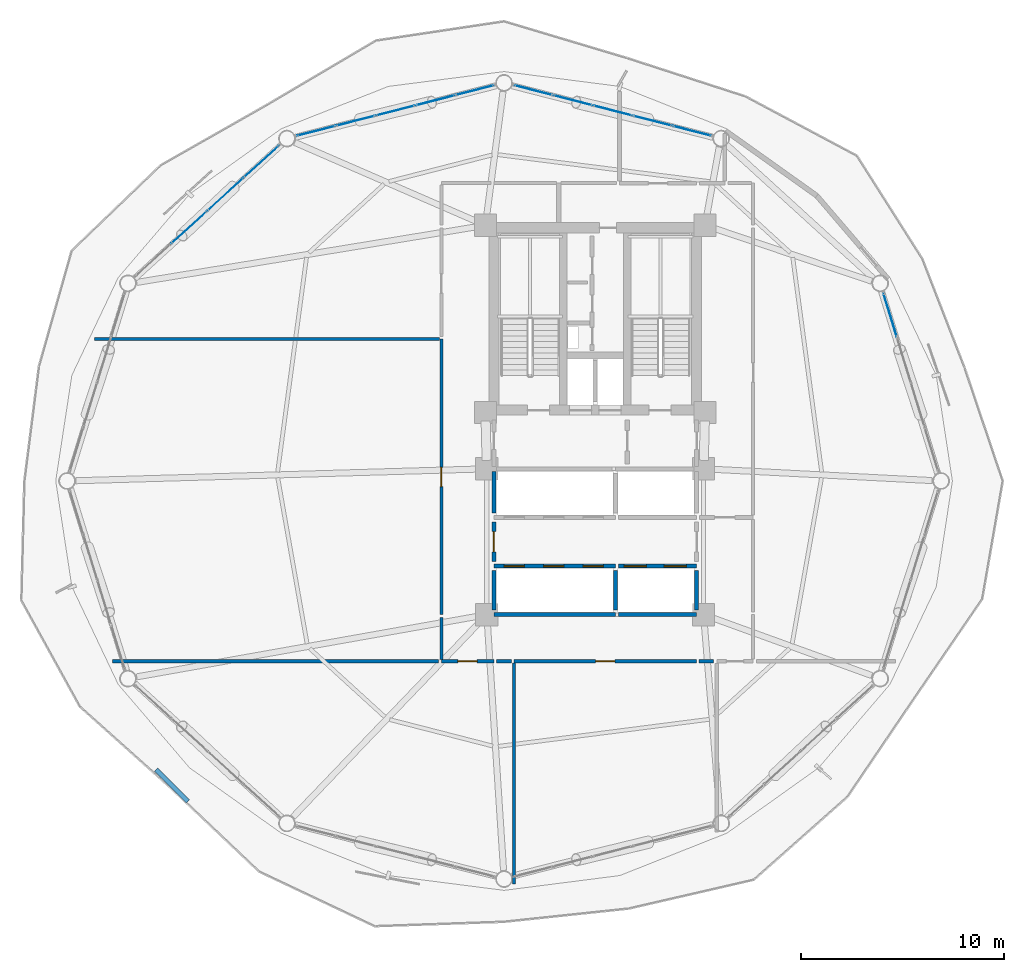
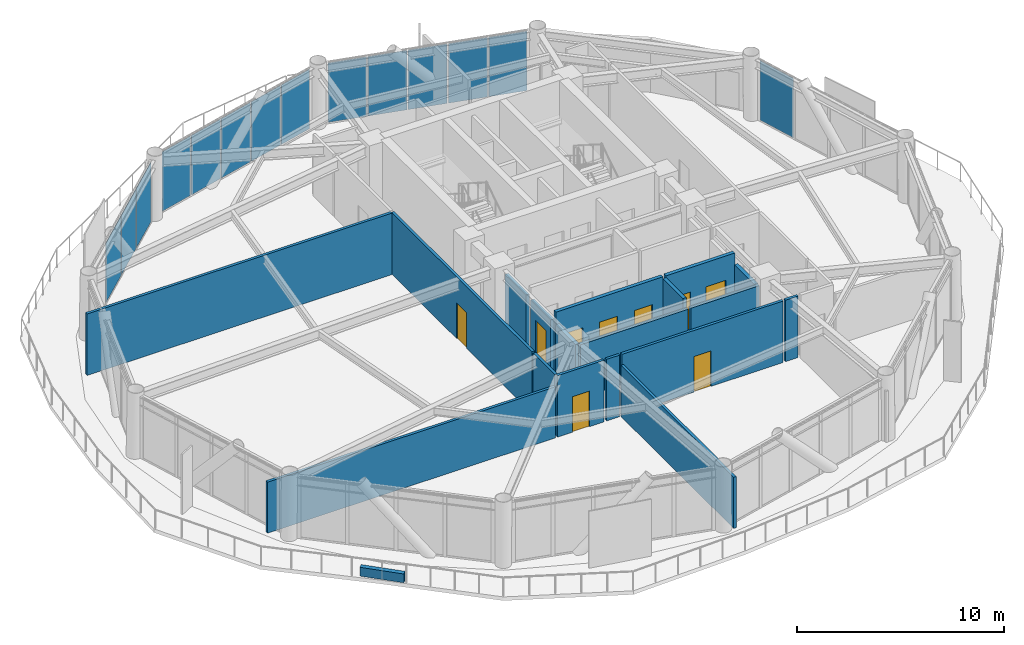
# One storey, part 19 of 24: 19 walls, 14 plates, 9 doors, 9 openings, 4 elements without a shape of their own.
"""IFC4 building model written with IfcOpenShell, lengths in metres."""

from ifc_helpers import new_model, si_unit, direction, frame, frame_2d, origin, origin_2d, place, context, subcontext, project, spatial, rectangle, extrude, source, transform, mapped, material, layer, layer_set, type_object, type_shapes, element, fill, aggregate, save


model = new_model("IFC4")

# Units and contexts
model_context = context("Model", 3, precision=1e-05, world=origin(), true_north=direction((0.0, 1.0)))
body_context = subcontext(model_context, "Body", "Model", "MODEL_VIEW")
ifc_project = project(units=[si_unit("LENGTHUNIT", "METRE"), si_unit("AREAUNIT", "SQUARE_METRE"), si_unit("VOLUMEUNIT", "CUBIC_METRE"), si_unit("PLANEANGLEUNIT", "RADIAN"), si_unit("MASSUNIT", "GRAM", prefix="KILO")], contexts=[model_context])

# Site, building, storey
site_placement = place(None, origin())
site = spatial("IfcSite", under=ifc_project, at=site_placement, CompositionType="ELEMENT")
building_placement = place(site_placement, origin())
building = spatial("IfcBuilding", under=site, at=building_placement, Name="Varnakorn Sky Granary", CompositionType="ELEMENT")
storey_placement = place(building_placement, frame((0.0, 0.0, 103.199951171875)))
storey = spatial("IfcBuildingStorey", under=building, at=storey_placement, Name="L25", CompositionType="ELEMENT", Elevation=103.199951171875)

# Curtain wall, plate
ifc_material_1 = material(Name="Anodised Bronze Aluminium Alloy 6063-T6", Category="aluminium")
ifc_layer_1 = layer(ifc_material_1, 0.179931640625, Name="Anodised Bronze Aluminium Alloy 6063-T6")
ifc_layer_set_1 = layer_set([ifc_layer_1], Name="Anodised Bronze Aluminium Alloy 6063-T6")
curtain_wall_type = type_object("IfcCurtainWallType", Name="CW-FRM-2", PredefinedType="USERDEFINED", material=ifc_layer_set_1)
curtain_wall_1_placement = place(storey_placement, origin())
curtain_wall_1 = element("IfcCurtainWall", 1, at=curtain_wall_1_placement, inside=storey, type_object=curtain_wall_type, Name="Unitised Curtain Wall CW4 CW-L25-B01", ObjectType="CURTAIN WALL", PredefinedType="USERDEFINED")
ifc_material_2 = material(Name="Low-E Tinted Laminated Glass", Category="glass")
ifc_layer_2 = layer(ifc_material_2, 0.02587890625, Name="Low-E Tinted Laminated Glass")
ifc_layer_set_2 = layer_set([ifc_layer_2], Name="Low-E Tinted Laminated Glass")
plate_type = type_object("IfcPlateType", Name="CW-FRM-2-PNL", PredefinedType="CURTAIN_PANEL")
shared_shape_1 = source(origin(), body_context, "Body", "SweptSolid", [
    extrude(rectangle(XDim=2.215576171875, YDim=0.02587890625, at=origin_2d()), origin(), (0.0, 0.0, 1.0), 3.510009765625),
])
plate_1_placement = place(storey_placement, frame((17.558837890625, 8.191162109375, 0.06494140625), z_axis=(0.0, 0.0, 1.0), x_axis=(0.294498393873, -0.955651974312, 0.0)))
plate_1 = element("IfcPlate", 2, at=plate_1_placement, type_object=plate_type, material=ifc_layer_set_2, Name="CW4 vision glazing unit 1.1", PredefinedType="CURTAIN_PANEL", context=body_context, shape_type="MappedRepresentation", body=[
    mapped(shared_shape_1, transform((0.0, 0.0, 0.0), x_axis=(1.0, 0.0, 0.0), y_axis=(0.0, 1.0, 0.0), z_axis=(0.0, 0.0, 1.0), scale=1.0)),
])
aggregate(curtain_wall_1, [plate_1])

# Curtain wall, plates
curtain_wall_2_placement = place(storey_placement, origin())
curtain_wall_2 = element("IfcCurtainWall", 3, at=curtain_wall_2_placement, inside=storey, type_object=curtain_wall_type, Name="Unitised Curtain Wall CW4 CW-L25-B03", ObjectType="CURTAIN WALL", PredefinedType="USERDEFINED")
shared_shape_2 = source(origin(), body_context, "Body", "SweptSolid", [
    extrude(rectangle(XDim=1.922607421875, YDim=0.02587890625, at=origin_2d()), origin(), (0.0, 0.0, 1.0), 3.510009765625),
])
plate_2_placement = place(storey_placement, frame((-0.049072265625, 19.287841796875, 0.06494140625), z_axis=(0.0, 0.0, 1.0), x_axis=(0.968637756196, -0.24847715644, 0.0)))
plate_2 = element("IfcPlate", 4, at=plate_2_placement, type_object=plate_type, material=ifc_layer_set_2, Name="CW4 vision glazing unit 1.1", PredefinedType="CURTAIN_PANEL", context=body_context, shape_type="MappedRepresentation", body=[
    mapped(shared_shape_2, transform((0.0, 0.0, 0.0), x_axis=(1.0, 0.0, 0.0), y_axis=(0.0, 1.0, 0.0), z_axis=(0.0, 0.0, 1.0), scale=1.0)),
])
plate_3_placement = place(storey_placement, frame((7.773193359375, 17.28125, 0.06494140625), z_axis=(0.0, 0.0, 1.0), x_axis=(0.968637756196, -0.24847715644, 0.0)))
plate_3 = element("IfcPlate", 5, at=plate_3_placement, type_object=plate_type, material=ifc_layer_set_2, Name="CW4 vision glazing unit 5.1", PredefinedType="CURTAIN_PANEL", context=body_context, shape_type="MappedRepresentation", body=[
    mapped(shared_shape_2, transform((0.0, 0.0, 0.0), x_axis=(1.0, 0.0, 0.0), y_axis=(0.0, 1.0, 0.0), z_axis=(0.0, 0.0, 1.0), scale=1.0)),
])

curtain_wall_3_placement = place(storey_placement, origin())
curtain_wall_3 = element("IfcCurtainWall", 6, at=curtain_wall_3_placement, inside=storey, type_object=curtain_wall_type, Name="Unitised Curtain Wall CW4 CW-L25-B04", ObjectType="CURTAIN WALL", PredefinedType="USERDEFINED")
plate_4_placement = place(storey_placement, frame((-10.773193359375, 17.28125, 0.06494140625), z_axis=(0.0, 0.0, 1.0), x_axis=(0.968637756196, 0.24847715644, 0.0)))
plate_4 = element("IfcPlate", 7, at=plate_4_placement, type_object=plate_type, material=ifc_layer_set_2, Name="CW4 vision glazing unit 1.1", PredefinedType="CURTAIN_PANEL", context=body_context, shape_type="MappedRepresentation", body=[
    mapped(shared_shape_2, transform((0.0, 0.0, 0.0), x_axis=(1.0, 0.0, 0.0), y_axis=(0.0, 1.0, 0.0), z_axis=(0.0, 0.0, 1.0), scale=1.0)),
])
plate_5_placement = place(storey_placement, frame((-2.950927734375, 19.287841796875, 0.06494140625), z_axis=(0.0, 0.0, 1.0), x_axis=(0.968637756196, 0.24847715644, 0.0)))
plate_5 = element("IfcPlate", 8, at=plate_5_placement, type_object=plate_type, material=ifc_layer_set_2, Name="CW4 vision glazing unit 5.1", PredefinedType="CURTAIN_PANEL", context=body_context, shape_type="MappedRepresentation", body=[
    mapped(shared_shape_2, transform((0.0, 0.0, 0.0), x_axis=(1.0, 0.0, 0.0), y_axis=(0.0, 1.0, 0.0), z_axis=(0.0, 0.0, 1.0), scale=1.0)),
])

# Plate
ifc_material_3 = material(Name="Opaque Insulated Aluminium Shadow-Box Unit", Category="aluminium")
ifc_layer_3 = layer(ifc_material_3, 0.02587890625, Name="Opaque Insulated Aluminium Shadow-Box Unit")
ifc_layer_set_3 = layer_set([ifc_layer_3], Name="Opaque Insulated Aluminium Shadow-Box Unit")
shared_shape_3 = source(origin(), body_context, "Body", "SweptSolid", [
    extrude(rectangle(XDim=1.95751953125, YDim=0.02587890625, at=origin_2d()), origin(), (0.0, 0.0, 1.0), 3.510009765625),
])
plate_6_placement = place(storey_placement, frame((1.89794921875, 18.788330078125, 0.06494140625), z_axis=(0.0, 0.0, 1.0), x_axis=(0.968637756196, -0.24847715644, 0.0)))
plate_6 = element("IfcPlate", 9, at=plate_6_placement, type_object=plate_type, material=ifc_layer_set_3, Name="CW4 opaque insulated shadow-box unit 2.1", PredefinedType="CURTAIN_PANEL", context=body_context, shape_type="MappedRepresentation", body=[
    mapped(shared_shape_3, transform((0.0, 0.0, 0.0), x_axis=(1.0, 0.0, 0.0), y_axis=(0.0, 1.0, 0.0), z_axis=(0.0, 0.0, 1.0), scale=1.0)),
])

plate_7_placement = place(storey_placement, frame((3.862060546875, 18.28466796875, 0.06494140625), z_axis=(0.0, 0.0, 1.0), x_axis=(0.968637756196, -0.24847715644, 0.0)))
plate_7 = element("IfcPlate", 10, at=plate_7_placement, type_object=plate_type, material=ifc_layer_set_3, Name="CW4 opaque insulated shadow-box unit 3.1", PredefinedType="CURTAIN_PANEL", context=body_context, shape_type="MappedRepresentation", body=[
    mapped(shared_shape_3, transform((0.0, 0.0, 0.0), x_axis=(1.0, 0.0, 0.0), y_axis=(0.0, 1.0, 0.0), z_axis=(0.0, 0.0, 1.0), scale=1.0)),
])

plate_8_placement = place(storey_placement, frame((5.825927734375, 17.78076171875, 0.06494140625), z_axis=(0.0, 0.0, 1.0), x_axis=(0.968637756196, -0.24847715644, 0.0)))
plate_8 = element("IfcPlate", 11, at=plate_8_placement, type_object=plate_type, material=ifc_layer_set_3, Name="CW4 opaque insulated shadow-box unit 4.1", PredefinedType="CURTAIN_PANEL", context=body_context, shape_type="MappedRepresentation", body=[
    mapped(shared_shape_3, transform((0.0, 0.0, 0.0), x_axis=(1.0, 0.0, 0.0), y_axis=(0.0, 1.0, 0.0), z_axis=(0.0, 0.0, 1.0), scale=1.0)),
])

aggregate(curtain_wall_2, [plate_2, plate_6, plate_7, plate_8, plate_3])

plate_9_placement = place(storey_placement, frame((-8.825927734375, 17.78076171875, 0.06494140625), z_axis=(0.0, 0.0, 1.0), x_axis=(0.968637756196, 0.24847715644, 0.0)))
plate_9 = element("IfcPlate", 12, at=plate_9_placement, type_object=plate_type, material=ifc_layer_set_3, Name="CW4 opaque insulated shadow-box unit 2.1", PredefinedType="CURTAIN_PANEL", context=body_context, shape_type="MappedRepresentation", body=[
    mapped(shared_shape_3, transform((0.0, 0.0, 0.0), x_axis=(1.0, 0.0, 0.0), y_axis=(0.0, 1.0, 0.0), z_axis=(0.0, 0.0, 1.0), scale=1.0)),
])

plate_10_placement = place(storey_placement, frame((-6.862060546875, 18.28466796875, 0.06494140625), z_axis=(0.0, 0.0, 1.0), x_axis=(0.968637756196, 0.24847715644, 0.0)))
plate_10 = element("IfcPlate", 13, at=plate_10_placement, type_object=plate_type, material=ifc_layer_set_3, Name="CW4 opaque insulated shadow-box unit 3.1", PredefinedType="CURTAIN_PANEL", context=body_context, shape_type="MappedRepresentation", body=[
    mapped(shared_shape_3, transform((0.0, 0.0, 0.0), x_axis=(1.0, 0.0, 0.0), y_axis=(0.0, 1.0, 0.0), z_axis=(0.0, 0.0, 1.0), scale=1.0)),
])

plate_11_placement = place(storey_placement, frame((-4.89794921875, 18.788330078125, 0.06494140625), z_axis=(0.0, 0.0, 1.0), x_axis=(0.968637756196, 0.24847715644, 0.0)))
plate_11 = element("IfcPlate", 14, at=plate_11_placement, type_object=plate_type, material=ifc_layer_set_3, Name="CW4 opaque insulated shadow-box unit 4.1", PredefinedType="CURTAIN_PANEL", context=body_context, shape_type="MappedRepresentation", body=[
    mapped(shared_shape_3, transform((0.0, 0.0, 0.0), x_axis=(1.0, 0.0, 0.0), y_axis=(0.0, 1.0, 0.0), z_axis=(0.0, 0.0, 1.0), scale=1.0)),
])

aggregate(curtain_wall_3, [plate_4, plate_9, plate_10, plate_11, plate_5])

# Curtain wall, plates
curtain_wall_4_placement = place(storey_placement, origin())
curtain_wall_4 = element("IfcCurtainWall", 15, at=curtain_wall_4_placement, inside=storey, type_object=curtain_wall_type, Name="Unitised Curtain Wall CW4 CW-L25-B05", ObjectType="CURTAIN WALL", PredefinedType="USERDEFINED")
shared_shape_4 = source(origin(), body_context, "Body", "SweptSolid", [
    extrude(rectangle(XDim=2.31591796875, YDim=0.02587890625, at=origin_2d()), origin(), (0.0, 0.0, 1.0), 3.510009765625),
])
plate_12_placement = place(storey_placement, frame((-13.47705078125, 15.7685546875, 0.06494140625), z_axis=(0.0, 0.0, 1.0), x_axis=(0.739474474282, 0.673184597183, 0.0)))
plate_12 = element("IfcPlate", 16, at=plate_12_placement, type_object=plate_type, material=ifc_layer_set_2, Name="CW4 vision glazing unit 4.1", PredefinedType="CURTAIN_PANEL", context=body_context, shape_type="MappedRepresentation", body=[
    mapped(shared_shape_4, transform((0.0, 0.0, 0.0), x_axis=(1.0, 0.0, 0.0), y_axis=(0.0, 1.0, 0.0), z_axis=(0.0, 0.0, 1.0), scale=1.0)),
])
shared_shape_5 = source(origin(), body_context, "Body", "SweptSolid", [
    extrude(rectangle(XDim=2.350830078125, YDim=0.02587890625, at=origin_2d()), origin(), (0.0, 0.0, 1.0), 3.510009765625),
])
type_shapes(plate_type, [shared_shape_1, shared_shape_2, shared_shape_3, shared_shape_4, shared_shape_5])
plate_13_placement = place(storey_placement, frame((-17.04443359375, 12.52099609375, 0.06494140625), z_axis=(0.0, 0.0, 1.0), x_axis=(0.739474474282, 0.673184597183, 0.0)))
plate_13 = element("IfcPlate", 17, at=plate_13_placement, type_object=plate_type, material=ifc_layer_set_3, Name="CW4 opaque insulated shadow-box unit 2.1", PredefinedType="CURTAIN_PANEL", context=body_context, shape_type="MappedRepresentation", body=[
    mapped(shared_shape_5, transform((0.0, 0.0, 0.0), x_axis=(1.0, 0.0, 0.0), y_axis=(0.0, 1.0, 0.0), z_axis=(0.0, 0.0, 1.0), scale=1.0)),
])
plate_14_placement = place(storey_placement, frame((-15.254150390625, 14.150634765625, 0.06494140625), z_axis=(0.0, 0.0, 1.0), x_axis=(0.739474474282, 0.673184597183, 0.0)))
plate_14 = element("IfcPlate", 18, at=plate_14_placement, type_object=plate_type, material=ifc_layer_set_3, Name="CW4 opaque insulated shadow-box unit 3.1", PredefinedType="CURTAIN_PANEL", context=body_context, shape_type="MappedRepresentation", body=[
    mapped(shared_shape_5, transform((0.0, 0.0, 0.0), x_axis=(1.0, 0.0, 0.0), y_axis=(0.0, 1.0, 0.0), z_axis=(0.0, 0.0, 1.0), scale=1.0)),
])
aggregate(curtain_wall_4, [plate_13, plate_14, plate_12])

# Wall, opening, door
ifc_material_4 = material(Name="Autoclaved Aerated Concrete Blockwork", Category="masonry")
ifc_layer_4 = layer(ifc_material_4, 0.199951171875, Name="Autoclaved Aerated Concrete Blockwork")
ifc_layer_set_4 = layer_set([ifc_layer_4], Name="Autoclaved Aerated Concrete Blockwork")
wall_type_1 = type_object("IfcWallType", Name="WT-FIRE-200", PredefinedType="MOVABLE", material=ifc_layer_set_4)
wall_1_placement = place(storey_placement, frame((-2.0, -3.969970703125, 0.0), z_axis=(0.0, 0.0, 1.0), x_axis=(0.0, 1.0, 0.0)))
wall_1 = element("IfcWall", 19, at=wall_1_placement, inside=storey, type_object=wall_type_1, Name="Interior Partition Wall L25-020", PredefinedType="MOVABLE", context=body_context, shape_type="SweptSolid", body=[
    extrude(rectangle(XDim=1.93994140625, YDim=0.199951171875, at=frame_2d((0.969970703125, 0.0))), origin(), (0.0, 0.0, 1.0), 3.02197265625),
])
opening_1_placement = place(wall_1_placement, frame((0.469970703125, 0.0, 0.0)))
opening_1 = element("IfcOpeningElement", 20, at=opening_1_placement, cuts=wall_1, Name="Opening FD-60", PredefinedType="OPENING", context=body_context, shape_type="SweptSolid", body=[
    extrude(rectangle(XDim=1.0, YDim=2.10009765625, at=frame_2d((0.5, 1.050048828125))), frame((0.0, 0.10986328125, 0.0), z_axis=(0.0, -1.0, 0.0), x_axis=(1.0, 0.0, 0.0)), (0.0, 0.0, 1.0), 0.219970703125),
])
ifc_material_5 = material(Name="Acoustic Timber Fire Leaf", Category="wood")
door_type_1 = type_object("IfcDoorType", Name="DR-FD60-1000", OperationType="NOTDEFINED", PredefinedType="DOOR", material=ifc_material_5)
door_1_placement = place(opening_1_placement, origin())
door_1 = element("IfcDoor", 21, at=door_1_placement, inside=storey, type_object=door_type_1, Name="Interior Door L25-020-1", OperationType="SINGLE_SWING_RIGHT", OverallHeight=2.10009765625, OverallWidth=1.0, PredefinedType="DOOR", context=body_context, shape_type="SweptSolid", body=[
    extrude(rectangle(XDim=1.0, YDim=2.10009765625, at=frame_2d((0.5, 1.050048828125))), frame((0.0, 0.02490234375, 0.0), z_axis=(0.0, -1.0, 0.0), x_axis=(1.0, 0.0, 0.0)), (0.0, 0.0, 1.0), 0.050048828125),
])
fill(opening_1, door_1)

ifc_material_6 = material(Name="Gypsum Plasterboard on Steel Stud", Category="steel")
ifc_layer_5 = layer(ifc_material_6, 0.14990234375, Name="Gypsum Plasterboard on Steel Stud")
ifc_layer_set_5 = layer_set([ifc_layer_5], Name="Gypsum Plasterboard on Steel Stud")
wall_type_2 = type_object("IfcWallType", Name="WT-PART-150", PredefinedType="PARTITIONING", material=ifc_layer_set_5)
wall_2_placement = place(storey_placement, frame((-4.60009765625, -8.89990234375, 0.0), z_axis=(0.0, 0.0, 1.0), x_axis=(1.0, 0.0, 0.0)))
wall_2 = element("IfcWall", 22, at=wall_2_placement, inside=storey, type_object=wall_type_2, Name="Interior Partition Wall L25-024", PredefinedType="PARTITIONING", context=body_context, shape_type="SweptSolid", body=[
    extrude(rectangle(XDim=2.60009765625, YDim=0.14990234375, at=frame_2d((1.300048828125, 0.0))), origin(), (0.0, 0.0, 1.0), 3.64013671875),
])
opening_2_placement = place(wall_2_placement, frame((0.824951171875, 0.0, 0.0)))
opening_2 = element("IfcOpeningElement", 23, at=opening_2_placement, cuts=wall_2, Name="Opening ID-95", PredefinedType="OPENING", context=body_context, shape_type="SweptSolid", body=[
    extrude(rectangle(XDim=0.949951171875, YDim=2.10009765625, at=frame_2d((0.47509765625, 1.050048828125))), frame((0.0, 0.0849609375, 0.0), z_axis=(0.0, -1.0, 0.0), x_axis=(1.0, 0.0, 0.0)), (0.0, 0.0, 1.0), 0.169921875),
])
ifc_material_7 = material(Name="Solid-Core Teak Veneer Leaf", Category="timber")
door_type_2 = type_object("IfcDoorType", Name="DR-INT-950", OperationType="NOTDEFINED", PredefinedType="DOOR", material=ifc_material_7)
door_2_placement = place(opening_2_placement, origin())
door_2 = element("IfcDoor", 24, at=door_2_placement, inside=storey, type_object=door_type_2, Name="Interior Door L25-024-1", OperationType="SINGLE_SWING_RIGHT", OverallHeight=2.10009765625, OverallWidth=0.949951171875, PredefinedType="DOOR", context=body_context, shape_type="SweptSolid", body=[
    extrude(rectangle(XDim=0.949951171875, YDim=2.10009765625, at=frame_2d((0.47509765625, 1.050048828125))), frame((0.0, 0.02490234375, 0.0), z_axis=(0.0, -1.0, 0.0), x_axis=(1.0, 0.0, 0.0)), (0.0, 0.0, 1.0), 0.050048828125),
])
fill(opening_2, door_2)

wall_3_placement = place(storey_placement, frame((-1.0, -8.89990234375, 0.0), z_axis=(0.0, 0.0, 1.0), x_axis=(1.0, 0.0, 0.0)))
wall_3 = element("IfcWall", 25, at=wall_3_placement, inside=storey, type_object=wall_type_2, Name="Interior Partition Wall L25-025", PredefinedType="PARTITIONING", context=body_context, shape_type="SweptSolid", body=[
    extrude(rectangle(XDim=9.0, YDim=0.14990234375, at=frame_2d((4.5, 0.0))), origin(), (0.0, 0.0, 1.0), 3.64013671875),
])
opening_3_placement = place(wall_3_placement, frame((4.02490234375, 0.0, 0.0)))
opening_3 = element("IfcOpeningElement", 26, at=opening_3_placement, cuts=wall_3, Name="Opening ID-95", PredefinedType="OPENING", context=body_context, shape_type="SweptSolid", body=[
    extrude(rectangle(XDim=0.949951171875, YDim=2.10009765625, at=frame_2d((0.47509765625, 1.050048828125))), frame((0.0, 0.0849609375, 0.0), z_axis=(0.0, -1.0, 0.0), x_axis=(1.0, 0.0, 0.0)), (0.0, 0.0, 1.0), 0.169921875),
])
door_3_placement = place(opening_3_placement, origin())
door_3 = element("IfcDoor", 27, at=door_3_placement, inside=storey, type_object=door_type_2, Name="Interior Door L25-025-1", OperationType="SINGLE_SWING_LEFT", OverallHeight=2.10009765625, OverallWidth=0.949951171875, PredefinedType="DOOR", context=body_context, shape_type="SweptSolid", body=[
    extrude(rectangle(XDim=0.949951171875, YDim=2.10009765625, at=frame_2d((0.47509765625, 1.050048828125))), frame((0.0, 0.02490234375, 0.0), z_axis=(0.0, -1.0, 0.0), x_axis=(1.0, 0.0, 0.0)), (0.0, 0.0, 1.0), 0.050048828125),
])
fill(opening_3, door_3)

wall_4_placement = place(storey_placement, frame((-4.60009765625, 7.0, 0.0), z_axis=(0.0, 0.0, 1.0), x_axis=(0.0, -1.0, 0.0)))
wall_4 = element("IfcWall", 28, at=wall_4_placement, inside=storey, type_object=wall_type_2, Name="Interior Partition Wall L25-027", PredefinedType="PARTITIONING", context=body_context, shape_type="SweptSolid", body=[
    extrude(rectangle(XDim=13.60009765625, YDim=0.14990234375, at=frame_2d((6.800048828125, 0.0))), origin(), (0.0, 0.0, 1.0), 3.64013671875),
])
opening_4_placement = place(wall_4_placement, frame((6.324951171875, 0.0, 0.0)))
opening_4 = element("IfcOpeningElement", 29, at=opening_4_placement, cuts=wall_4, Name="Opening ID-95", PredefinedType="OPENING", context=body_context, shape_type="SweptSolid", body=[
    extrude(rectangle(XDim=0.949951171875, YDim=2.10009765625, at=frame_2d((0.47509765625, 1.050048828125))), frame((0.0, 0.0849609375, 0.0), z_axis=(0.0, -1.0, 0.0), x_axis=(1.0, 0.0, 0.0)), (0.0, 0.0, 1.0), 0.169921875),
])
door_4_placement = place(opening_4_placement, origin())
door_4 = element("IfcDoor", 30, at=door_4_placement, inside=storey, type_object=door_type_2, Name="Interior Door L25-027-1", OperationType="SINGLE_SWING_LEFT", OverallHeight=2.10009765625, OverallWidth=0.949951171875, PredefinedType="DOOR", context=body_context, shape_type="SweptSolid", body=[
    extrude(rectangle(XDim=0.949951171875, YDim=2.10009765625, at=frame_2d((0.47509765625, 1.050048828125))), frame((0.0, 0.02490234375, 0.0), z_axis=(0.0, -1.0, 0.0), x_axis=(1.0, 0.0, 0.0)), (0.0, 0.0, 1.0), 0.050048828125),
])
fill(opening_4, door_4)

# Walls
wall_5_placement = place(storey_placement, frame((-1.864990234375, -8.89990234375, 0.0), z_axis=(0.0, 0.0, 1.0), x_axis=(1.0, 0.0, 0.0)))
element("IfcWall", 31, at=wall_5_placement, inside=storey, type_object=wall_type_2, Name="Interior Partition Wall L25-034", PredefinedType="PARTITIONING", context=body_context, shape_type="SweptSolid", body=[
    extrude(rectangle(XDim=0.72998046875, YDim=0.14990234375, at=frame_2d((0.364990234375, 0.0))), origin(), (0.0, 0.0, 1.0), 3.64013671875),
])
wall_6_placement = place(storey_placement, frame((-1.0, -8.985107421875, 0.0), z_axis=(0.0, 0.0, 1.0), x_axis=(0.0, -1.0, 0.0)))
element("IfcWall", 32, at=wall_6_placement, inside=storey, type_object=wall_type_2, Name="Interior Partition Wall L25-035", PredefinedType="PARTITIONING", context=body_context, shape_type="SweptSolid", body=[
    extrude(rectangle(XDim=10.9208984375, YDim=0.14990234375, at=frame_2d((5.46044921875, 0.0))), origin(), (0.0, 0.0, 1.0), 3.02197265625),
])
wall_7_placement = place(storey_placement, frame((-20.825927734375, -8.89990234375, 0.0), z_axis=(0.0, 0.0, 1.0), x_axis=(1.0, 0.0, 0.0)))
element("IfcWall", 33, at=wall_7_placement, inside=storey, type_object=wall_type_2, Name="Interior Partition Wall L25-036", PredefinedType="PARTITIONING", context=body_context, shape_type="SweptSolid", body=[
    extrude(rectangle(XDim=16.0908203125, YDim=0.14990234375, at=frame_2d((8.04541015625, 0.0))), origin(), (0.0, 0.0, 1.0), 3.02197265625),
])
wall_8_placement = place(storey_placement, frame((8.135009765625, -8.89990234375, 0.0), z_axis=(0.0, 0.0, 1.0), x_axis=(1.0, 0.0, 0.0)))
element("IfcWall", 34, at=wall_8_placement, inside=storey, type_object=wall_type_2, Name="Interior Partition Wall L25-037", PredefinedType="PARTITIONING", context=body_context, shape_type="SweptSolid", body=[
    extrude(rectangle(XDim=0.715087890625, YDim=0.14990234375, at=frame_2d((0.357421875, 0.0))), origin(), (0.0, 0.0, 1.0), 3.64013671875),
])
wall_9_placement = place(storey_placement, frame((-4.60009765625, -6.735107421875, 0.0), z_axis=(0.0, 0.0, 1.0), x_axis=(0.0, -1.0, 0.0)))
element("IfcWall", 35, at=wall_9_placement, inside=storey, type_object=wall_type_2, Name="Interior Partition Wall L25-040", PredefinedType="PARTITIONING", context=body_context, shape_type="SweptSolid", body=[
    extrude(rectangle(XDim=2.079833984375, YDim=0.14990234375, at=frame_2d((1.0400390625, 0.0))), origin(), (0.0, 0.0, 1.0), 3.64013671875),
])
wall_10_placement = place(storey_placement, frame((-21.72802734375, 7.0, 0.0), z_axis=(0.0, 0.0, 1.0), x_axis=(1.0, 0.0, 0.0)))
element("IfcWall", 36, at=wall_10_placement, inside=storey, type_object=wall_type_2, Name="Interior Partition Wall L25-041", PredefinedType="PARTITIONING", context=body_context, shape_type="SweptSolid", body=[
    extrude(rectangle(XDim=17.04296875, YDim=0.14990234375, at=frame_2d((8.521484375, 0.0))), origin(), (0.0, 0.0, 1.0), 3.64013671875),
])
ifc_layer_6 = layer(ifc_material_4, 0.199951171875, Name="Autoclaved Aerated Concrete Blockwork")
ifc_layer_set_6 = layer_set([ifc_layer_6], Name="Autoclaved Aerated Concrete Blockwork")
wall_type_3 = type_object("IfcWallType", Name="WT-SHAFT-200", PredefinedType="SOLIDWALL", material=ifc_layer_set_6)
wall_11_placement = place(storey_placement, frame((-2.0, -1.570068359375, 0.0), z_axis=(0.0, 0.0, 1.0), x_axis=(0.0, 1.0, 0.0)))
element("IfcWall", 37, at=wall_11_placement, inside=storey, type_object=wall_type_3, Name="Interior Partition Wall L25-005", PredefinedType="SOLIDWALL", context=body_context, shape_type="SweptSolid", body=[
    extrude(rectangle(XDim=2.050048828125, YDim=0.199951171875, at=frame_2d((1.02490234375, 0.0))), origin(), (0.0, 0.0, 1.0), 3.02197265625),
])

# Wall, openings, doors
wall_12_placement = place(storey_placement, frame((-2.0, -4.199951171875, 0.0), z_axis=(0.0, 0.0, 1.0), x_axis=(1.0, 0.0, 0.0)))
wall_12 = element("IfcWall", 38, at=wall_12_placement, inside=storey, type_object=wall_type_3, Name="Interior Partition Wall L25-009", PredefinedType="SOLIDWALL", context=body_context, shape_type="SweptSolid", body=[
    extrude(rectangle(XDim=6.0, YDim=0.199951171875, at=frame_2d((3.0, 0.0))), origin(), (0.0, 0.0, 1.0), 3.64013671875),
])
opening_5_placement = place(wall_12_placement, frame((0.5, 0.0, 0.0)))
opening_5 = element("IfcOpeningElement", 39, at=opening_5_placement, cuts=wall_12, Name="Opening LD-03", PredefinedType="OPENING", context=body_context, shape_type="SweptSolid", body=[
    extrude(rectangle(XDim=1.0, YDim=2.199951171875, at=frame_2d((0.5, 1.10009765625))), frame((0.0, 0.10986328125, 0.0), z_axis=(0.0, -1.0, 0.0), x_axis=(1.0, 0.0, 0.0)), (0.0, 0.0, 1.0), 0.219970703125),
])
opening_6_placement = place(wall_12_placement, frame((2.449951171875, 0.0, 0.0)))
opening_6 = element("IfcOpeningElement", 40, at=opening_6_placement, cuts=wall_12, Name="Opening LD-03", PredefinedType="OPENING", context=body_context, shape_type="SweptSolid", body=[
    extrude(rectangle(XDim=1.0, YDim=2.199951171875, at=frame_2d((0.5, 1.10009765625))), frame((0.0, 0.10986328125, 0.0), z_axis=(0.0, -1.0, 0.0), x_axis=(1.0, 0.0, 0.0)), (0.0, 0.0, 1.0), 0.219970703125),
])
opening_7_placement = place(wall_12_placement, frame((4.39990234375, 0.0, 0.0)))
opening_7 = element("IfcOpeningElement", 41, at=opening_7_placement, cuts=wall_12, Name="Opening LD-03", PredefinedType="OPENING", context=body_context, shape_type="SweptSolid", body=[
    extrude(rectangle(XDim=1.0, YDim=2.199951171875, at=frame_2d((0.5, 1.10009765625))), frame((0.0, 0.10986328125, 0.0), z_axis=(0.0, -1.0, 0.0), x_axis=(1.0, 0.0, 0.0)), (0.0, 0.0, 1.0), 0.219970703125),
])
ifc_material_8 = material(Name="Brushed Bronze Stainless Steel", Category="steel")
door_type_3 = type_object("IfcDoorType", Name="DR-LD-1000", OperationType="DOUBLE_DOOR_SLIDING", PredefinedType="DOOR", material=ifc_material_8)
door_5_placement = place(opening_5_placement, origin())
door_5 = element("IfcDoor", 42, at=door_5_placement, inside=storey, type_object=door_type_3, Name="Passenger Lift PL-M1 Sliding Landing Door L25", OperationType="DOUBLE_DOOR_SLIDING", OverallHeight=2.199951171875, OverallWidth=1.0, PredefinedType="DOOR", context=body_context, shape_type="SweptSolid", body=[
    extrude(rectangle(XDim=1.0, YDim=2.199951171875, at=frame_2d((0.5, 1.10009765625))), frame((0.0, 0.02490234375, 0.0), z_axis=(0.0, -1.0, 0.0), x_axis=(1.0, 0.0, 0.0)), (0.0, 0.0, 1.0), 0.050048828125),
])
fill(opening_5, door_5)
door_6_placement = place(opening_6_placement, origin())
door_6 = element("IfcDoor", 43, at=door_6_placement, inside=storey, type_object=door_type_3, Name="Passenger Lift PL-M2 Sliding Landing Door L25", OperationType="DOUBLE_DOOR_SLIDING", OverallHeight=2.199951171875, OverallWidth=1.0, PredefinedType="DOOR", context=body_context, shape_type="SweptSolid", body=[
    extrude(rectangle(XDim=1.0, YDim=2.199951171875, at=frame_2d((0.5, 1.10009765625))), frame((0.0, 0.02490234375, 0.0), z_axis=(0.0, -1.0, 0.0), x_axis=(1.0, 0.0, 0.0)), (0.0, 0.0, 1.0), 0.050048828125),
])
fill(opening_6, door_6)
door_7_placement = place(opening_7_placement, origin())
door_7 = element("IfcDoor", 44, at=door_7_placement, inside=storey, type_object=door_type_3, Name="Passenger Lift PL-M3 Sliding Landing Door L25", OperationType="DOUBLE_DOOR_SLIDING", OverallHeight=2.199951171875, OverallWidth=1.0, PredefinedType="DOOR", context=body_context, shape_type="SweptSolid", body=[
    extrude(rectangle(XDim=1.0, YDim=2.199951171875, at=frame_2d((0.5, 1.10009765625))), frame((0.0, 0.02490234375, 0.0), z_axis=(0.0, -1.0, 0.0), x_axis=(1.0, 0.0, 0.0)), (0.0, 0.0, 1.0), 0.050048828125),
])
fill(opening_7, door_7)

# Walls
wall_13_placement = place(storey_placement, frame((-2.0, -6.60009765625, 0.0), z_axis=(0.0, 0.0, 1.0), x_axis=(1.0, 0.0, 0.0)))
element("IfcWall", 45, at=wall_13_placement, inside=storey, type_object=wall_type_3, Name="Interior Partition Wall L25-010", PredefinedType="SOLIDWALL", context=body_context, shape_type="SweptSolid", body=[
    extrude(rectangle(XDim=6.0, YDim=0.199951171875, at=frame_2d((3.0, 0.0))), origin(), (0.0, 0.0, 1.0), 3.172119140625),
])
wall_14_placement = place(storey_placement, frame((-2.0, -6.3701171875, 0.0), z_axis=(0.0, 0.0, 1.0), x_axis=(0.0, 1.0, 0.0)))
element("IfcWall", 46, at=wall_14_placement, inside=storey, type_object=wall_type_3, Name="Interior Partition Wall L25-011", PredefinedType="SOLIDWALL", context=body_context, shape_type="SweptSolid", body=[
    extrude(rectangle(XDim=1.940185546875, YDim=0.199951171875, at=frame_2d((0.97021484375, 0.0))), origin(), (0.0, 0.0, 1.0), 3.02197265625),
])

# Wall, openings, doors
wall_15_placement = place(storey_placement, frame((4.159912109375, -4.199951171875, 0.0), z_axis=(0.0, 0.0, 1.0), x_axis=(1.0, 0.0, 0.0)))
wall_15 = element("IfcWall", 47, at=wall_15_placement, inside=storey, type_object=wall_type_3, Name="Interior Partition Wall L25-012", PredefinedType="SOLIDWALL", context=body_context, shape_type="SweptSolid", body=[
    extrude(rectangle(XDim=3.840087890625, YDim=0.199951171875, at=frame_2d((1.919921875, 0.0))), origin(), (0.0, 0.0, 1.0), 3.64013671875),
])
opening_8_placement = place(wall_15_placement, frame((0.27001953125, 0.0, 0.0)))
opening_8 = element("IfcOpeningElement", 48, at=opening_8_placement, cuts=wall_15, Name="Opening LD-01", PredefinedType="OPENING", context=body_context, shape_type="SweptSolid", body=[
    extrude(rectangle(XDim=1.10009765625, YDim=2.199951171875, at=frame_2d((0.550048828125, 1.10009765625))), frame((0.0, 0.10986328125, 0.0), z_axis=(0.0, -1.0, 0.0), x_axis=(1.0, 0.0, 0.0)), (0.0, 0.0, 1.0), 0.219970703125),
])
opening_9_placement = place(wall_15_placement, frame((2.239990234375, 0.0, 0.0)))
opening_9 = element("IfcOpeningElement", 49, at=opening_9_placement, cuts=wall_15, Name="Opening LD-01", PredefinedType="OPENING", context=body_context, shape_type="SweptSolid", body=[
    extrude(rectangle(XDim=1.10009765625, YDim=2.199951171875, at=frame_2d((0.550048828125, 1.10009765625))), frame((0.0, 0.10986328125, 0.0), z_axis=(0.0, -1.0, 0.0), x_axis=(1.0, 0.0, 0.0)), (0.0, 0.0, 1.0), 0.219970703125),
])
door_type_4 = type_object("IfcDoorType", Name="DR-LD-1100", OperationType="DOUBLE_DOOR_SLIDING", PredefinedType="DOOR", material=ifc_material_8)
door_8_placement = place(opening_8_placement, origin())
door_8 = element("IfcDoor", 50, at=door_8_placement, inside=storey, type_object=door_type_4, Name="Passenger Lift PL-H1 Sliding Landing Door L25", OperationType="DOUBLE_DOOR_SLIDING", OverallHeight=2.199951171875, OverallWidth=1.10009765625, PredefinedType="DOOR", context=body_context, shape_type="SweptSolid", body=[
    extrude(rectangle(XDim=1.10009765625, YDim=2.199951171875, at=frame_2d((0.550048828125, 1.10009765625))), frame((0.0, 0.02490234375, 0.0), z_axis=(0.0, -1.0, 0.0), x_axis=(1.0, 0.0, 0.0)), (0.0, 0.0, 1.0), 0.050048828125),
])
fill(opening_8, door_8)
door_9_placement = place(opening_9_placement, origin())
door_9 = element("IfcDoor", 51, at=door_9_placement, inside=storey, type_object=door_type_4, Name="Passenger Lift PL-H2 Sliding Landing Door L25", OperationType="DOUBLE_DOOR_SLIDING", OverallHeight=2.199951171875, OverallWidth=1.10009765625, PredefinedType="DOOR", context=body_context, shape_type="SweptSolid", body=[
    extrude(rectangle(XDim=1.10009765625, YDim=2.199951171875, at=frame_2d((0.550048828125, 1.10009765625))), frame((0.0, 0.02490234375, 0.0), z_axis=(0.0, -1.0, 0.0), x_axis=(1.0, 0.0, 0.0)), (0.0, 0.0, 1.0), 0.050048828125),
])
fill(opening_9, door_9)

# Walls
wall_16_placement = place(storey_placement, frame((4.159912109375, -6.60009765625, 0.0), z_axis=(0.0, 0.0, 1.0), x_axis=(1.0, 0.0, 0.0)))
element("IfcWall", 52, at=wall_16_placement, inside=storey, type_object=wall_type_3, Name="Interior Partition Wall L25-013", PredefinedType="SOLIDWALL", context=body_context, shape_type="SweptSolid", body=[
    extrude(rectangle(XDim=3.840087890625, YDim=0.199951171875, at=frame_2d((1.919921875, 0.0))), origin(), (0.0, 0.0, 1.0), 3.172119140625),
])
wall_17_placement = place(storey_placement, frame((4.0, -6.3701171875, 0.0), z_axis=(0.0, 0.0, 1.0), x_axis=(0.0, 1.0, 0.0)))
element("IfcWall", 53, at=wall_17_placement, inside=storey, type_object=wall_type_3, Name="Interior Partition Wall L25-014", PredefinedType="SOLIDWALL", context=body_context, shape_type="SweptSolid", body=[
    extrude(rectangle(XDim=1.940185546875, YDim=0.199951171875, at=frame_2d((0.97021484375, 0.0))), origin(), (0.0, 0.0, 1.0), 3.64013671875),
])
wall_18_placement = place(storey_placement, frame((8.0, -6.3701171875, 0.0), z_axis=(0.0, 0.0, 1.0), x_axis=(0.0, 1.0, 0.0)))
element("IfcWall", 54, at=wall_18_placement, inside=storey, type_object=wall_type_3, Name="Interior Partition Wall L25-015", PredefinedType="SOLIDWALL", context=body_context, shape_type="SweptSolid", body=[
    extrude(rectangle(XDim=1.940185546875, YDim=0.199951171875, at=frame_2d((0.97021484375, 0.0))), origin(), (0.0, 0.0, 1.0), 3.072021484375),
])
ifc_material_9 = material(Name="Precast concrete C40/50", Category="concrete")
ifc_layer_7 = layer(ifc_material_9, 0.239990234375, Name="Precast concrete C40/50")
ifc_layer_set_7 = layer_set([ifc_layer_7], Name="Precast concrete C40/50")
wall_type_4 = type_object("IfcWallType", Name="WT-WP-PLN-240", PredefinedType="PARAPET", material=ifc_layer_set_7)
wall_19_placement = place(storey_placement, frame((-18.670654296875, -14.25537109375, 0.0), z_axis=(0.0, 0.0, 1.0), x_axis=(0.707162268829, -0.707051289189, 0.0)))
element("IfcWall", 55, at=wall_19_placement, inside=storey, type_object=wall_type_4, Name="Sky-Farm Hydroponic Planter Bed PLANTER L25", PredefinedType="PARAPET", context=body_context, shape_type="SweptSolid", body=[
    extrude(rectangle(XDim=2.199951171875, YDim=0.239990234375, at=frame_2d((1.10009765625, 0.0))), origin(), (0.0, 0.0, 1.0), 0.52001953125),
])

save(model, "model.ifc")
